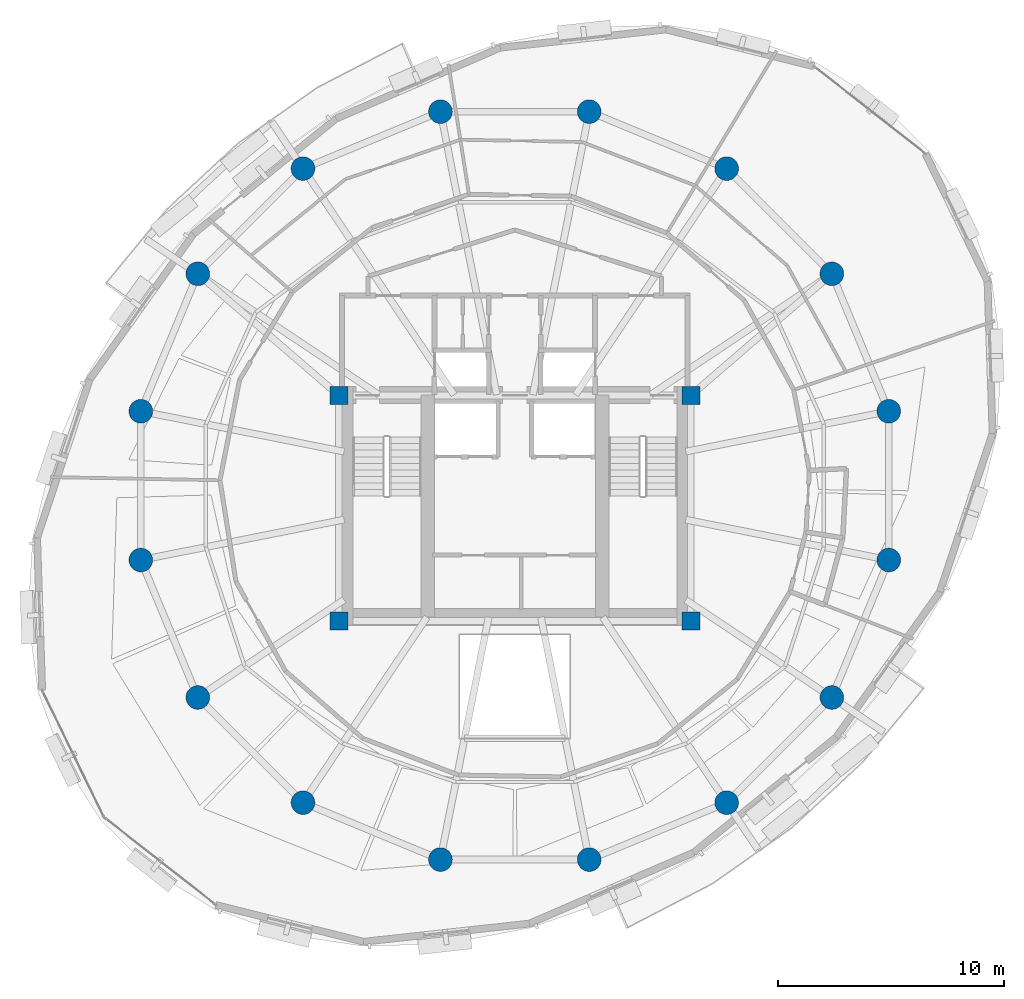
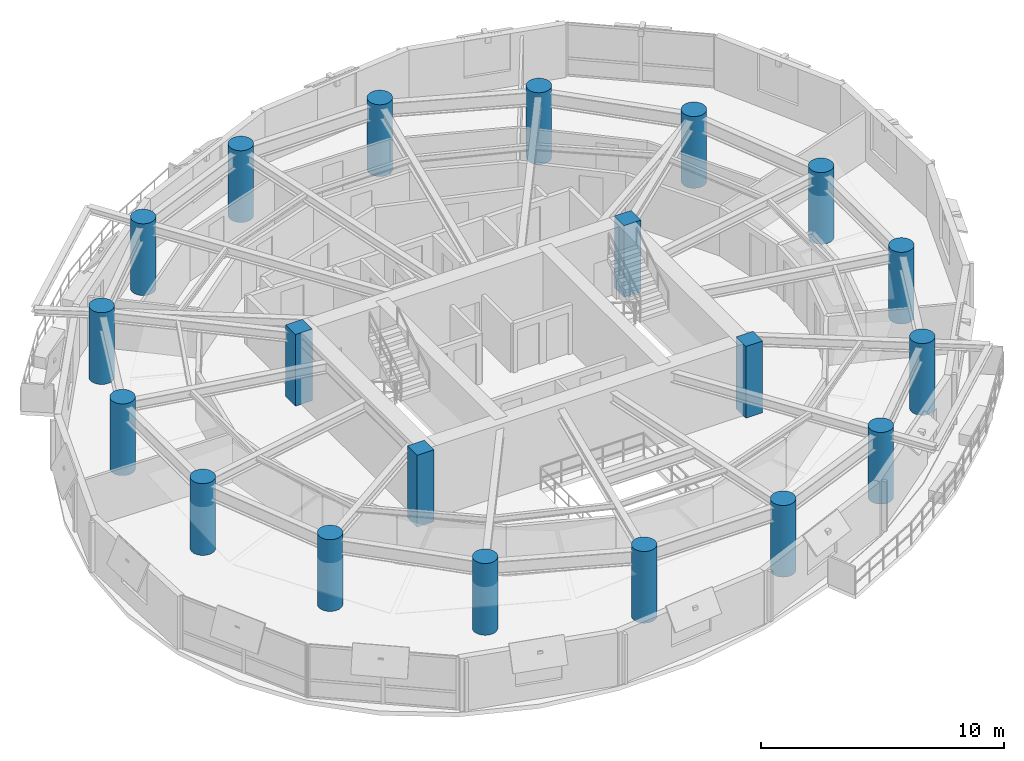
# One storey, part 1 of 12: 20 columns.
"""IFC4 building model written with IfcOpenShell, lengths in metres."""

import ifcopenshell
import ifcopenshell.guid

model = None  # the IFC model being written
_history = None  # IfcOwnerHistory: only IFC2X3 demands one
_inside = {}  # id of a spatial element -> (the spatial element, [elements in it])
_under = {}  # id of a project, library or spatial element -> (it, [spatial elements below it])
_declared = {}  # id of a project -> (the project, [libraries it declares])
_typed = {}  # id of a type object -> (the type object, [elements of that type])
_made_of = {}  # id of a material, layer set ... -> (it, [elements and type objects made of it])


def new_model(schema):
    """Start an empty IFC model of exactly this schema.

    Asked for "IFC4X3", IfcOpenShell would pick the latest addendum, in which some entities
    have other attributes; the version numbers below select the first issue.
    IFC2X3 requires an IfcOwnerHistory on every rooted entity: one is made here for all.
    """
    global model, _history
    if schema == "IFC4X3":
        model = ifcopenshell.file(schema_version=(4, 3, 0, 0))
    else:
        model = ifcopenshell.file(schema=schema)
    _inside.clear()
    _under.clear()
    _declared.clear()
    _typed.clear()
    _made_of.clear()
    _history = None
    if model.schema == "IFC2X3":
        org = make("IfcOrganization", Name="unknown")
        user = make(
            "IfcPersonAndOrganization",
            ThePerson=make("IfcPerson", FamilyName="unknown"),
            TheOrganization=org,
        )
        app = make(
            "IfcApplication",
            ApplicationDeveloper=org,
            Version="unknown",
            ApplicationFullName="unknown",
            ApplicationIdentifier="unknown",
        )
        _history = make(
            "IfcOwnerHistory",
            OwningUser=user,
            OwningApplication=app,
            ChangeAction="ADDED",
            CreationDate=0,
        )
    return model


def make(cls, **values):
    """One entity of the class cls with the attributes given. An attribute that is None is left unset."""
    return model.create_entity(
        cls, **{name: value for name, value in values.items() if value is not None}
    )


def rooted(cls, **values):
    """An entity with a GlobalId (a new one), such as an element, a storey or a relation."""
    return make(cls, GlobalId=ifcopenshell.guid.new(), OwnerHistory=_history, **values)


def si_unit(unit_type, name, prefix=None):
    """IfcSIUnit, for example si_unit("LENGTHUNIT", "METRE", prefix="MILLI")."""
    return make("IfcSIUnit", UnitType=unit_type, Prefix=prefix, Name=name)


def assignment(units):
    """IfcUnitAssignment: the units of a project."""
    return None if units is None else make("IfcUnitAssignment", Units=units)


def point(xyz):
    """IfcCartesianPoint."""
    return None if xyz is None else make("IfcCartesianPoint", Coordinates=xyz)


def direction(xyz):
    """IfcDirection."""
    return None if xyz is None else make("IfcDirection", DirectionRatios=xyz)


def frame(location, z_axis=None, x_axis=None):
    """IfcAxis2Placement3D, a coordinate frame: its origin and axes. An axis left out is left unset."""
    return make(
        "IfcAxis2Placement3D",
        Location=point(location),
        Axis=direction(z_axis),
        RefDirection=direction(x_axis),
    )


def frame_2d(location, x_axis=None):
    """IfcAxis2Placement2D, a coordinate frame in the plane: its origin and x axis."""
    return make(
        "IfcAxis2Placement2D", Location=point(location), RefDirection=direction(x_axis)
    )


def origin():
    """The frame at (0, 0, 0) with its axes left unset."""
    return frame((0.0, 0.0, 0.0))


def origin_2d():
    """The frame at (0, 0) in the plane with its x axis left unset."""
    return frame_2d((0.0, 0.0))


def place(relative_to, where):
    """IfcLocalPlacement: puts the frame where relative to a parent placement (None: the world)."""
    return make(
        "IfcLocalPlacement", PlacementRelTo=relative_to, RelativePlacement=where
    )


def context(
    kind, dimensions, precision=None, world=None, true_north=None, identifier=None
):
    """IfcGeometricRepresentationContext, for example the 3D "Model" context."""
    return make(
        "IfcGeometricRepresentationContext",
        ContextIdentifier=identifier,
        ContextType=kind,
        CoordinateSpaceDimension=dimensions,
        Precision=precision,
        WorldCoordinateSystem=world,
        TrueNorth=true_north,
    )


def subcontext(parent, identifier, kind, view, scale=None):
    """IfcGeometricRepresentationSubContext, for example "Body" below "Model"."""
    return make(
        "IfcGeometricRepresentationSubContext",
        ContextIdentifier=identifier,
        ContextType=kind,
        ParentContext=parent,
        TargetScale=scale,
        TargetView=view,
    )


def project(units=None, contexts=None):
    """IfcProject with its units and contexts."""
    return rooted(
        "IfcProject",
        Name="project",
        RepresentationContexts=contexts,
        UnitsInContext=assignment(units),
    )


def spatial(cls, under=None, at=None, **own):
    """A site, building, storey or space (cls), placed at a placement, below another one or the project."""
    s = rooted(cls, ObjectPlacement=at, **own)
    if under is not None:
        _under.setdefault(under.id(), (under, []))[1].append(s)
    return s


def profile(cls, at=None, kind="AREA", **sizes):
    """A parametric profile (cls). Its sizes go by their IFC names, for example OverallWidth=200.0."""
    return make(cls, ProfileType=kind, Position=at, **sizes)


def rectangle(**sizes):
    """IfcRectangleProfileDef."""
    return profile("IfcRectangleProfileDef", **sizes)


def circle(**sizes):
    """IfcCircleProfileDef."""
    return profile("IfcCircleProfileDef", **sizes)


def extrude(swept, where, along, depth):
    """IfcExtrudedAreaSolid: the profile swept, set in the frame where, extruded along a direction by depth."""
    return make(
        "IfcExtrudedAreaSolid",
        SweptArea=swept,
        Position=where,
        ExtrudedDirection=direction(along),
        Depth=depth,
    )


def shape(context_of_items, identifier, shape_type, items):
    """IfcShapeRepresentation: the items that make up one representation, for example the "Body"."""
    return make(
        "IfcShapeRepresentation",
        ContextOfItems=context_of_items,
        RepresentationIdentifier=identifier,
        RepresentationType=shape_type,
        Items=items,
    )


def material(Name=None, Category=None):
    """IfcMaterial."""
    return make("IfcMaterial", Name=Name, Category=Category)


def material_profile(
    of_material, cross_section, Name=None, Category=None, Priority=None
):
    """IfcMaterialProfile: a cross section and its material."""
    return make(
        "IfcMaterialProfile",
        Name=Name,
        Material=of_material,
        Profile=cross_section,
        Priority=Priority,
        Category=Category,
    )


def profile_set(profiles, Name=None, composite=None):
    """IfcMaterialProfileSet."""
    return make(
        "IfcMaterialProfileSet",
        Name=Name,
        MaterialProfiles=profiles,
        CompositeProfile=composite,
    )


def made_of(thing, what):
    """Note that an element or type object is made of a material, layer set ...; save() writes the relation."""
    if what is not None:
        _made_of.setdefault(what.id(), (what, []))[1].append(thing)
    return thing


def type_object(cls, material=None, **own):
    """A type object (cls), such as IfcWallType, which elements share."""
    return made_of(rooted(cls, **own), material)


def element(
    cls,
    number,
    at=None,
    inside=None,
    cuts=None,
    type_object=None,
    material=None,
    context=None,
    identifier="Body",
    shape_type=None,
    held_by="IfcProductDefinitionShape",
    body=None,
    shapes=None,
    **own,
):
    """One element of the class cls, such as IfcWall. Its Tag is "e" and its number.

    at: its placement. inside: the storey or other place that contains it. cuts: it is an
    opening in that element (IfcRelVoidsElement). A single representation is given by context,
    identifier, shape_type and body (its items); several are given by shapes. held_by: the class
    of the entity that holds the representations. save() writes the other relations.
    """
    e = rooted(cls, Tag="e%d" % number, ObjectPlacement=at, **own)
    if body is not None:
        shapes = [shape(context, identifier, shape_type, body)]
    if shapes is not None:
        e.Representation = make(held_by, Representations=shapes)
    if inside is not None:
        _inside.setdefault(inside.id(), (inside, []))[1].append(e)
    if cuts is not None:
        rooted(
            "IfcRelVoidsElement", RelatingBuildingElement=cuts, RelatedOpeningElement=e
        )
    if type_object is not None:
        _typed.setdefault(type_object.id(), (type_object, []))[1].append(e)
    return made_of(e, material)


def aggregate(whole, parts):
    """IfcRelAggregates: a whole, such as a stair, and the parts it consists of."""
    return rooted("IfcRelAggregates", RelatingObject=whole, RelatedObjects=parts)


def save(model, path):
    """Write the relations noted so far, then the file.

    IfcRelAggregates (storeys below a building ...), IfcRelContainedInSpatialStructure (elements
    in a storey), IfcRelDefinesByType, IfcRelAssociatesMaterial and IfcRelDeclares: one each for
    every whole, place, type object, material and project.
    """
    for whole, parts in _under.values():
        aggregate(whole, parts)
    for where, things in _inside.values():
        rooted(
            "IfcRelContainedInSpatialStructure",
            RelatedElements=things,
            RelatingStructure=where,
        )
    for kind, things in _typed.values():
        rooted("IfcRelDefinesByType", RelatedObjects=things, RelatingType=kind)
    for what, things in _made_of.values():
        rooted("IfcRelAssociatesMaterial", RelatedObjects=things, RelatingMaterial=what)
    for by, libraries in _declared.values():
        rooted("IfcRelDeclares", RelatingContext=by, RelatedDefinitions=libraries)
    model.write(path)


model = new_model("IFC4")

# Units and contexts
model_context = context("Model", 3, precision=1e-05, world=origin(), true_north=direction((0.0, 1.0)))
body_context = subcontext(model_context, "Body", "Model", "MODEL_VIEW")
ifc_project = project(units=[si_unit("LENGTHUNIT", "METRE"), si_unit("AREAUNIT", "SQUARE_METRE"), si_unit("VOLUMEUNIT", "CUBIC_METRE"), si_unit("PLANEANGLEUNIT", "RADIAN"), si_unit("MASSUNIT", "GRAM", prefix="KILO"), si_unit("THERMODYNAMICTEMPERATUREUNIT", "KELVIN"), si_unit("POWERUNIT", "WATT")], contexts=[model_context])

# Site, building, storey
site_placement = place(None, origin())
site = spatial("IfcSite", under=ifc_project, at=site_placement, CompositionType="ELEMENT")
building_placement = place(site_placement, origin())
building = spatial("IfcBuilding", under=site, at=building_placement, Name="Ocrelia Relay Tower", CompositionType="ELEMENT")
storey_placement = place(building_placement, frame((0.0, 0.0, 195.199951171875)))
storey = spatial("IfcBuildingStorey", under=building, at=storey_placement, Name="L47", CompositionType="ELEMENT", Elevation=195.199951171875)

# Columns
ifc_material = material(Name="Concrete C60/75", Category="concrete")
ifc_material_profile_1 = material_profile(ifc_material, circle(Radius=0.52490234375, at=origin_2d()), Name="RC-CIR-1050")
ifc_profile_set_1 = profile_set([ifc_material_profile_1], Name="Concrete C60/75")
column_type_1 = type_object("IfcColumnType", Name="COL-CT-1050", PredefinedType="COLUMN", material=ifc_profile_set_1)
for number, where, z_axis, x_axis, name in (
    (1, (50.5751953125, 29.297119140625, 0.0), (0.0, 0.0, 1.0), (1.0, 0.0, 0.0), "L47 Perimeter Ring Column C01"),
    (2, (48.0517578125, 35.38916015625, 0.0), (0.0, 0.0, 1.0), (1.0, 0.0, 0.0), "L47 Perimeter Ring Column C02"),
    (3, (43.38916015625, 40.0517578125, 0.0), (0.0, 0.0, 1.0), (1.0, 0.0, 0.0), "L47 Perimeter Ring Column C03"),
    (4, (37.297119140625, 42.5751953125, 0.0), (0.0, 0.0, 1.0), (1.0, 0.0, 0.0), "L47 Perimeter Ring Column C04"),
    (5, (30.702880859375, 42.5751953125, 0.0), (0.0, 0.0, 1.0), (1.0, 0.0, 0.0), "L47 Perimeter Ring Column C05"),
    (6, (24.61083984375, 40.0517578125, 0.0), (0.0, 0.0, 1.0), (1.0, 0.0, 0.0), "L47 Perimeter Ring Column C06"),
    (7, (19.9482421875, 35.38916015625, 0.0), (0.0, 0.0, 1.0), (1.0, 0.0, 0.0), "L47 Perimeter Ring Column C07"),
    (8, (17.4248046875, 29.297119140625, 0.0), (0.0, 0.0, 1.0), (1.0, 0.0, 0.0), "L47 Perimeter Ring Column C08"),
    (9, (17.4248046875, 22.702880859375, 0.0), (0.0, 0.0, 1.0), (1.0, 0.0, 0.0), "L47 Perimeter Ring Column C09"),
    (10, (19.9482421875, 16.61083984375, 0.0), (0.0, 0.0, 1.0), (1.0, 0.0, 0.0), "L47 Perimeter Ring Column C10"),
    (11, (24.61083984375, 11.9482421875, 0.0), (0.0, 0.0, 1.0), (1.0, 0.0, 0.0), "L47 Perimeter Ring Column C11"),
    (12, (30.702880859375, 9.4248046875, 0.0), (0.0, 0.0, 1.0), (1.0, 0.0, 0.0), "L47 Perimeter Ring Column C12"),
    (13, (37.297119140625, 9.4248046875, 0.0), (0.0, 0.0, 1.0), (1.0, 0.0, 0.0), "L47 Perimeter Ring Column C13"),
    (14, (43.38916015625, 11.9482421875, 0.0), (0.0, 0.0, 1.0), (1.0, 0.0, 0.0), "L47 Perimeter Ring Column C14"),
    (15, (48.0517578125, 16.61083984375, 0.0), (0.0, 0.0, 1.0), (1.0, 0.0, 0.0), "L47 Perimeter Ring Column C15"),
    (16, (50.5751953125, 22.702880859375, 0.0), (0.0, 0.0, 1.0), (1.0, 0.0, 0.0), "L47 Perimeter Ring Column C16"),
):
    element("IfcColumn", number, at=place(storey_placement, frame(where, z_axis=z_axis, x_axis=x_axis)), inside=storey, type_object=column_type_1, Name=name, PredefinedType="COLUMN", context=body_context, shape_type="SweptSolid", body=[
        extrude(circle(Radius=0.52490234375, at=origin_2d()), origin(), (0.0, 0.0, 1.0), 3.60009765625),
    ])
ifc_material_profile_2 = material_profile(ifc_material, rectangle(XDim=0.800048828125, YDim=0.800048828125, at=origin_2d()), Name="RC-COL-800x800")
ifc_profile_set_2 = profile_set([ifc_material_profile_2], Name="Concrete C60/75")
column_type_2 = type_object("IfcColumnType", Name="COL-PILASTER-800", PredefinedType="PILASTER", material=ifc_profile_set_2)
for number, where, z_axis, x_axis, name in (
    (17, (26.199951171875, 20.0, 0.0), (0.0, 0.0, 1.0), (1.0, 0.0, 0.0), "L47 Core Corner Pilaster SW"),
    (18, (41.800048828125, 20.0, 0.0), (0.0, 0.0, 1.0), (1.0, 0.0, 0.0), "L47 Core Corner Pilaster SE"),
    (19, (26.199951171875, 30.0, 0.0), (0.0, 0.0, 1.0), (1.0, 0.0, 0.0), "L47 Core Corner Pilaster NW"),
    (20, (41.800048828125, 30.0, 0.0), (0.0, 0.0, 1.0), (1.0, 0.0, 0.0), "L47 Core Corner Pilaster NE"),
):
    element("IfcColumn", number, at=place(storey_placement, frame(where, z_axis=z_axis, x_axis=x_axis)), inside=storey, type_object=column_type_2, Name=name, PredefinedType="PILASTER", context=body_context, shape_type="SweptSolid", body=[
        extrude(rectangle(XDim=0.800048828125, YDim=0.800048828125, at=origin_2d()), origin(), (0.0, 0.0, 1.0), 3.60009765625),
    ])

save(model, "model.ifc")
